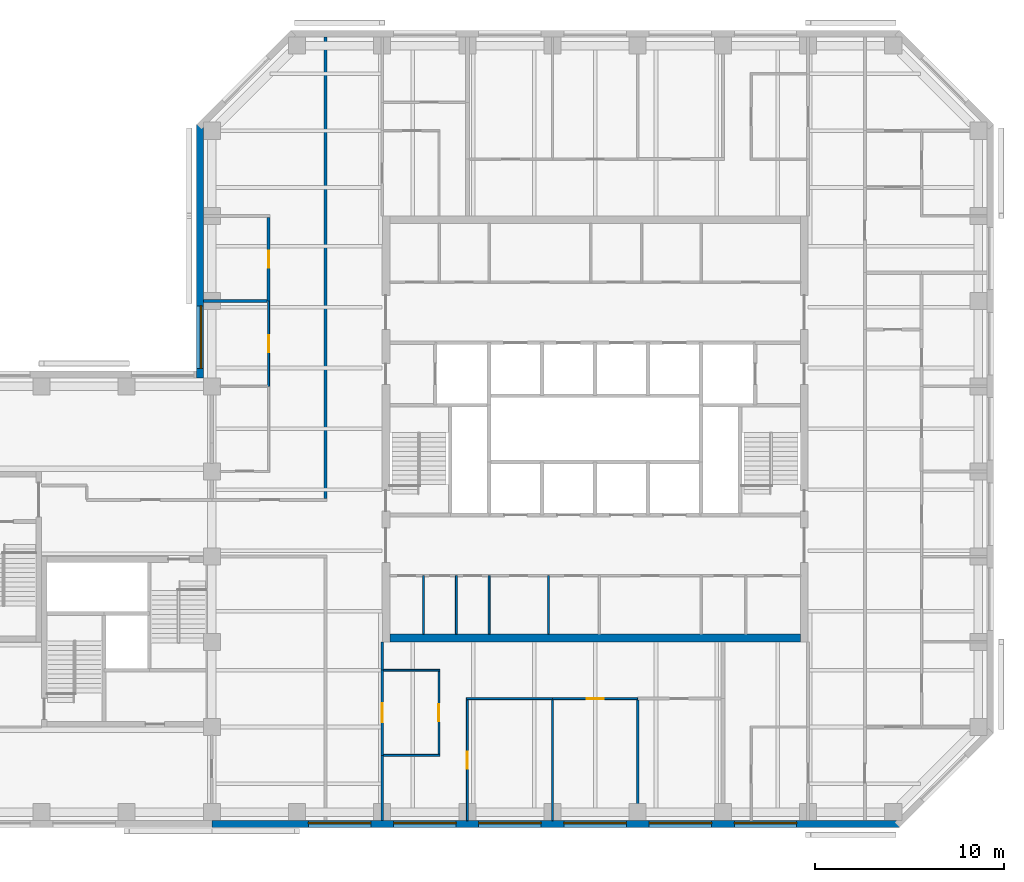
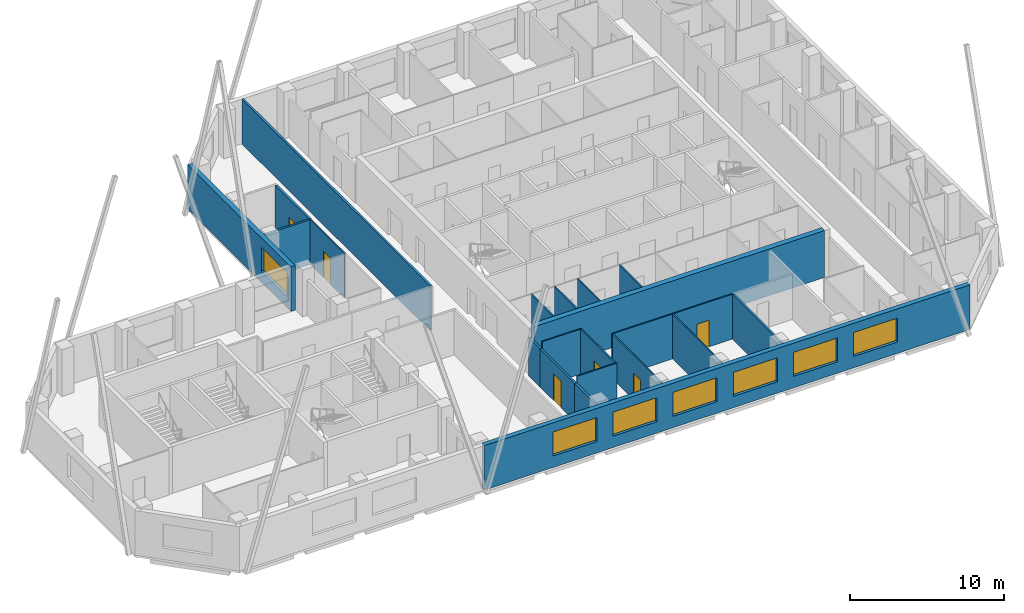
# One storey, part 4 of 10: 22 walls, 7 windows, 6 doors, 13 openings.
"""IFC4 building model written with IfcOpenShell, lengths in metres."""

from ifc_helpers import new_model, si_unit, direction, frame, frame_2d, origin, place, context, subcontext, project, spatial, rectangle, extrude, material, layer, layer_set, constituent, constituent_set, type_object, element, fill, save


model = new_model("IFC4")

# Units and contexts
model_context = context("Model", 3, precision=1e-05, world=origin(), true_north=direction((0.0, 1.0)))
body_context = subcontext(model_context, "Body", "Model", "MODEL_VIEW")
ifc_project = project(units=[si_unit("LENGTHUNIT", "METRE"), si_unit("AREAUNIT", "SQUARE_METRE"), si_unit("VOLUMEUNIT", "CUBIC_METRE"), si_unit("PLANEANGLEUNIT", "RADIAN"), si_unit("MASSUNIT", "GRAM", prefix="KILO")], contexts=[model_context])

# Site, building, storey
site_placement = place(None, origin())
site = spatial("IfcSite", under=ifc_project, at=site_placement, CompositionType="ELEMENT")
building_placement = place(site_placement, origin())
building = spatial("IfcBuilding", under=site, at=building_placement, Name="Quoin Convention Tower", CompositionType="ELEMENT")
storey_placement = place(building_placement, frame((0.0, 0.0, 188.39990234375)))
storey = spatial("IfcBuildingStorey", under=building, at=storey_placement, Name="L49", CompositionType="ELEMENT", Elevation=188.39990234375)

# Walls
ifc_material_1 = material(Name="Plasterboard")
ifc_layer_1 = layer(ifc_material_1, 0.012451171875, Name="Finish")
ifc_material_2 = material(Name="Steel stud framing", Category="steel")
ifc_layer_2 = layer(ifc_material_2, 0.125, Name="Structure")
ifc_layer_3 = layer(ifc_material_1, 0.012451171875, Name="Finish")
ifc_layer_set_1 = layer_set([ifc_layer_1, ifc_layer_2, ifc_layer_3], Name="Steel stud framing")
wall_type_1 = type_object("IfcWallType", Name="Acoustic partition 150", PredefinedType="PARTITIONING", material=ifc_layer_set_1)
wall_1_placement = place(storey_placement, frame((35.550048828125, 67.5, 0.0), z_axis=(0.0, 0.0, 1.0), x_axis=(1.0, 0.0, 0.0)))
element("IfcWall", 1, at=wall_1_placement, inside=storey, type_object=wall_type_1, Name="pw-L49-029", PredefinedType="PARTITIONING", context=body_context, shape_type="SweptSolid", body=[
    extrude(rectangle(XDim=3.375, YDim=0.14990234375, at=frame_2d((1.6875, 0.0))), origin(), (0.0, 0.0, 1.0), 3.550048828125),
])
wall_2_placement = place(storey_placement, frame((58.5, 40.050048828125, 0.0), z_axis=(0.0, 0.0, 1.0), x_axis=(0.0, 1.0, 0.0)))
element("IfcWall", 2, at=wall_2_placement, inside=storey, type_object=wall_type_1, Name="pw-L49-049", PredefinedType="PARTITIONING", context=body_context, shape_type="SweptSolid", body=[
    extrude(rectangle(XDim=6.375, YDim=0.14990234375, at=frame_2d((3.1875, 0.0))), origin(), (0.0, 0.0, 1.0), 3.550048828125),
])

# Wall, opening, door
wall_3_placement = place(storey_placement, frame((39.0, 67.5, 0.0), z_axis=(0.0, 0.0, 1.0), x_axis=(0.0, 1.0, 0.0)))
wall_3 = element("IfcWall", 3, at=wall_3_placement, inside=storey, type_object=wall_type_1, Name="pw-L49-086", PredefinedType="PARTITIONING", context=body_context, shape_type="SweptSolid", body=[
    extrude(rectangle(XDim=4.425048828125, YDim=0.14990234375, at=frame_2d((2.21240234375, 0.0))), origin(), (0.0, 0.0, 1.0), 3.550048828125),
])
opening_1_placement = place(wall_3_placement, frame((1.75, 0.0, 0.0)))
opening_1 = element("IfcOpeningElement", 4, at=opening_1_placement, cuts=wall_3, Name="Opening DOH6-28", PredefinedType="OPENING", context=body_context, shape_type="SweptSolid", body=[
    extrude(rectangle(XDim=0.89990234375, YDim=2.10009765625, at=frame_2d((0.449951171875, 1.050048828125))), frame((0.0, 0.0849609375, 0.0), z_axis=(0.0, -1.0, 0.0), x_axis=(1.0, 0.0, 0.0)), (0.0, 0.0, 1.0), 0.169921875),
])
ifc_material_3 = material(Name="Steel door leaf", Category="steel")
door_type_1 = type_object("IfcDoorType", Name="Office door 900 x 2100", OperationType="SINGLE_SWING_RIGHT", PredefinedType="DOOR", material=ifc_material_3)
door_1_placement = place(opening_1_placement, frame((0.89990234375, 0.0, 0.0), z_axis=(0.0, 0.0, 1.0), x_axis=(-1.0, 0.0, 0.0)))
door_1 = element("IfcDoor", 5, at=door_1_placement, inside=storey, type_object=door_type_1, Name="dr-L49-15", OperationType="SINGLE_SWING_LEFT", OverallHeight=2.10009765625, OverallWidth=0.89990234375, PredefinedType="DOOR", context=body_context, shape_type="SweptSolid", body=[
    extrude(rectangle(XDim=0.89990234375, YDim=2.10009765625, at=frame_2d((0.449951171875, 1.050048828125))), frame((0.0, 0.02490234375, 0.0), z_axis=(0.0, -1.0, 0.0), x_axis=(1.0, 0.0, 0.0)), (0.0, 0.0, 1.0), 0.050048828125),
])
fill(opening_1, door_1)

# Wall, openings, windows
ifc_material_4 = material(Name="Brick masonry", Category="masonry")
ifc_layer_4 = layer(ifc_material_4, 0.35009765625)
ifc_layer_set_2 = layer_set([ifc_layer_4], Name="Brick masonry")
wall_type_2 = type_object("IfcWallType", Name="Brick facade wall", PredefinedType="STANDARD", material=ifc_layer_set_2)
wall_4_placement = place(storey_placement, frame((36.0, 39.875, 0.0), z_axis=(0.0, 0.0, 1.0), x_axis=(1.0, 0.0, 0.0)))
wall_4 = element("IfcWall", 6, at=wall_4_placement, inside=storey, type_object=wall_type_2, Name="fw-L49-36000_40500", PredefinedType="STANDARD", context=body_context, shape_type="SweptSolid", body=[
    extrude(rectangle(XDim=36.331298828125, YDim=0.35009765625, at=frame_2d((18.16552734375, 0.0))), origin(), (0.0, 0.0, 1.0), 3.525146484375),
])
opening_2_placement = place(wall_4_placement, frame((5.10009765625, 0.0, 0.89990234375)))
opening_2 = element("IfcOpeningElement", 7, at=opening_2_placement, cuts=wall_4, Name="Opening W-02", PredefinedType="OPENING", context=body_context, shape_type="SweptSolid", body=[
    extrude(rectangle(XDim=3.300048828125, YDim=1.89990234375, at=frame_2d((1.64990234375, 0.949951171875))), frame((0.0, 0.18505859375, 0.0), z_axis=(0.0, -1.0, 0.0), x_axis=(1.0, 0.0, 0.0)), (0.0, 0.0, 1.0), 0.3701171875),
])
opening_3_placement = place(wall_4_placement, frame((9.60009765625, 0.0, 0.89990234375)))
opening_3 = element("IfcOpeningElement", 8, at=opening_3_placement, cuts=wall_4, Name="Opening W-02", PredefinedType="OPENING", context=body_context, shape_type="SweptSolid", body=[
    extrude(rectangle(XDim=3.300048828125, YDim=1.89990234375, at=frame_2d((1.64990234375, 0.949951171875))), frame((0.0, 0.18505859375, 0.0), z_axis=(0.0, -1.0, 0.0), x_axis=(1.0, 0.0, 0.0)), (0.0, 0.0, 1.0), 0.3701171875),
])
opening_4_placement = place(wall_4_placement, frame((14.10009765625, 0.0, 0.89990234375)))
opening_4 = element("IfcOpeningElement", 9, at=opening_4_placement, cuts=wall_4, Name="Opening W-02", PredefinedType="OPENING", context=body_context, shape_type="SweptSolid", body=[
    extrude(rectangle(XDim=3.300048828125, YDim=1.89990234375, at=frame_2d((1.64990234375, 0.949951171875))), frame((0.0, 0.18505859375, 0.0), z_axis=(0.0, -1.0, 0.0), x_axis=(1.0, 0.0, 0.0)), (0.0, 0.0, 1.0), 0.3701171875),
])
opening_5_placement = place(wall_4_placement, frame((18.60009765625, 0.0, 0.89990234375)))
opening_5 = element("IfcOpeningElement", 10, at=opening_5_placement, cuts=wall_4, Name="Opening W-02", PredefinedType="OPENING", context=body_context, shape_type="SweptSolid", body=[
    extrude(rectangle(XDim=3.300048828125, YDim=1.89990234375, at=frame_2d((1.64990234375, 0.949951171875))), frame((0.0, 0.18505859375, 0.0), z_axis=(0.0, -1.0, 0.0), x_axis=(1.0, 0.0, 0.0)), (0.0, 0.0, 1.0), 0.3701171875),
])
opening_6_placement = place(wall_4_placement, frame((23.10009765625, 0.0, 0.89990234375)))
opening_6 = element("IfcOpeningElement", 11, at=opening_6_placement, cuts=wall_4, Name="Opening W-02", PredefinedType="OPENING", context=body_context, shape_type="SweptSolid", body=[
    extrude(rectangle(XDim=3.300048828125, YDim=1.89990234375, at=frame_2d((1.64990234375, 0.949951171875))), frame((0.0, 0.18505859375, 0.0), z_axis=(0.0, -1.0, 0.0), x_axis=(1.0, 0.0, 0.0)), (0.0, 0.0, 1.0), 0.3701171875),
])
opening_7_placement = place(wall_4_placement, frame((27.60009765625, 0.0, 0.89990234375)))
opening_7 = element("IfcOpeningElement", 12, at=opening_7_placement, cuts=wall_4, Name="Opening W-02", PredefinedType="OPENING", context=body_context, shape_type="SweptSolid", body=[
    extrude(rectangle(XDim=3.300048828125, YDim=1.89990234375, at=frame_2d((1.64990234375, 0.949951171875))), frame((0.0, 0.18505859375, 0.0), z_axis=(0.0, -1.0, 0.0), x_axis=(1.0, 0.0, 0.0)), (0.0, 0.0, 1.0), 0.3701171875),
])
ifc_material_5 = material(Name="Aluminium", Category="aluminium")
ifc_constituent_1 = constituent(ifc_material_5, Name="Frame")
ifc_material_6 = material(Name="Insulated glass", Category="glass")
ifc_constituent_2 = constituent(ifc_material_6, Name="Glazing")
ifc_constituent_set = constituent_set(constituents=[ifc_constituent_1, ifc_constituent_2], Name="Aluminium")
window_type = type_object("IfcWindowType", Name="Office window", PartitioningType="DOUBLE_PANEL_VERTICAL", PredefinedType="WINDOW", material=ifc_constituent_set)
window_1_placement = place(opening_2_placement, origin())
window_1 = element("IfcWindow", 13, at=window_1_placement, inside=storey, type_object=window_type, Name="win-L49-42750_39875", OverallHeight=1.89990234375, OverallWidth=3.300048828125, PartitioningType="SINGLE_PANEL", PredefinedType="WINDOW", context=body_context, shape_type="SweptSolid", body=[
    extrude(rectangle(XDim=3.300048828125, YDim=1.89990234375, at=frame_2d((1.64990234375, 0.949951171875))), frame((0.0, 0.0849609375, 0.0), z_axis=(0.0, -1.0, 0.0), x_axis=(1.0, 0.0, 0.0)), (0.0, 0.0, 1.0), 0.06005859375),
])
fill(opening_2, window_1)
window_2_placement = place(opening_3_placement, origin())
window_2 = element("IfcWindow", 14, at=window_2_placement, inside=storey, type_object=window_type, Name="win-L49-47250_39875", OverallHeight=1.89990234375, OverallWidth=3.300048828125, PartitioningType="SINGLE_PANEL", PredefinedType="WINDOW", context=body_context, shape_type="SweptSolid", body=[
    extrude(rectangle(XDim=3.300048828125, YDim=1.89990234375, at=frame_2d((1.64990234375, 0.949951171875))), frame((0.0, 0.0849609375, 0.0), z_axis=(0.0, -1.0, 0.0), x_axis=(1.0, 0.0, 0.0)), (0.0, 0.0, 1.0), 0.06005859375),
])
fill(opening_3, window_2)
window_3_placement = place(opening_4_placement, origin())
window_3 = element("IfcWindow", 15, at=window_3_placement, inside=storey, type_object=window_type, Name="win-L49-51750_39875", OverallHeight=1.89990234375, OverallWidth=3.300048828125, PartitioningType="SINGLE_PANEL", PredefinedType="WINDOW", context=body_context, shape_type="SweptSolid", body=[
    extrude(rectangle(XDim=3.300048828125, YDim=1.89990234375, at=frame_2d((1.64990234375, 0.949951171875))), frame((0.0, 0.0849609375, 0.0), z_axis=(0.0, -1.0, 0.0), x_axis=(1.0, 0.0, 0.0)), (0.0, 0.0, 1.0), 0.06005859375),
])
fill(opening_4, window_3)
window_4_placement = place(opening_5_placement, origin())
window_4 = element("IfcWindow", 16, at=window_4_placement, inside=storey, type_object=window_type, Name="win-L49-56250_39875", OverallHeight=1.89990234375, OverallWidth=3.300048828125, PartitioningType="SINGLE_PANEL", PredefinedType="WINDOW", context=body_context, shape_type="SweptSolid", body=[
    extrude(rectangle(XDim=3.300048828125, YDim=1.89990234375, at=frame_2d((1.64990234375, 0.949951171875))), frame((0.0, 0.0849609375, 0.0), z_axis=(0.0, -1.0, 0.0), x_axis=(1.0, 0.0, 0.0)), (0.0, 0.0, 1.0), 0.06005859375),
])
fill(opening_5, window_4)
window_5_placement = place(opening_6_placement, origin())
window_5 = element("IfcWindow", 17, at=window_5_placement, inside=storey, type_object=window_type, Name="win-L49-60750_39875", OverallHeight=1.89990234375, OverallWidth=3.300048828125, PartitioningType="SINGLE_PANEL", PredefinedType="WINDOW", context=body_context, shape_type="SweptSolid", body=[
    extrude(rectangle(XDim=3.300048828125, YDim=1.89990234375, at=frame_2d((1.64990234375, 0.949951171875))), frame((0.0, 0.0849609375, 0.0), z_axis=(0.0, -1.0, 0.0), x_axis=(1.0, 0.0, 0.0)), (0.0, 0.0, 1.0), 0.06005859375),
])
fill(opening_6, window_5)
window_6_placement = place(opening_7_placement, origin())
window_6 = element("IfcWindow", 18, at=window_6_placement, inside=storey, type_object=window_type, Name="win-L49-65250_39875", OverallHeight=1.89990234375, OverallWidth=3.300048828125, PartitioningType="SINGLE_PANEL", PredefinedType="WINDOW", context=body_context, shape_type="SweptSolid", body=[
    extrude(rectangle(XDim=3.300048828125, YDim=1.89990234375, at=frame_2d((1.64990234375, 0.949951171875))), frame((0.0, 0.0849609375, 0.0), z_axis=(0.0, -1.0, 0.0), x_axis=(1.0, 0.0, 0.0)), (0.0, 0.0, 1.0), 0.06005859375),
])
fill(opening_7, window_6)

# Wall, opening, window
wall_5_placement = place(storey_placement, frame((35.375, 76.831298828125, 0.0), z_axis=(0.0, 0.0, 1.0), x_axis=(0.0, -1.0, 0.0)))
wall_5 = element("IfcWall", 19, at=wall_5_placement, inside=storey, type_object=wall_type_2, Name="fw-L49-36000_76500", PredefinedType="STANDARD", context=body_context, shape_type="SweptSolid", body=[
    extrude(rectangle(XDim=13.38134765625, YDim=0.35009765625, at=frame_2d((6.690673828125, 0.0))), origin(), (0.0, 0.0, 1.0), 3.525146484375),
])
opening_8_placement = place(wall_5_placement, frame((9.581298828125, 0.0, 0.89990234375)))
opening_8 = element("IfcOpeningElement", 20, at=opening_8_placement, cuts=wall_5, Name="Opening W-02", PredefinedType="OPENING", context=body_context, shape_type="SweptSolid", body=[
    extrude(rectangle(XDim=3.300048828125, YDim=1.89990234375, at=frame_2d((1.64990234375, 0.949951171875))), frame((0.0, 0.18505859375, 0.0), z_axis=(0.0, -1.0, 0.0), x_axis=(1.0, 0.0, 0.0)), (0.0, 0.0, 1.0), 0.3701171875),
])
window_7_placement = place(opening_8_placement, origin())
window_7 = element("IfcWindow", 21, at=window_7_placement, inside=storey, type_object=window_type, Name="win-L49-35375_65250", OverallHeight=1.89990234375, OverallWidth=3.300048828125, PartitioningType="SINGLE_PANEL", PredefinedType="WINDOW", context=body_context, shape_type="SweptSolid", body=[
    extrude(rectangle(XDim=3.300048828125, YDim=1.89990234375, at=frame_2d((1.64990234375, 0.949951171875))), frame((0.0, 0.0849609375, 0.0), z_axis=(0.0, -1.0, 0.0), x_axis=(1.0, 0.0, 0.0)), (0.0, 0.0, 1.0), 0.06005859375),
])
fill(opening_8, window_7)

# Walls
ifc_layer_5 = layer(ifc_material_1, 0.012451171875, Name="Finish")
ifc_layer_6 = layer(ifc_material_2, 0.074951171875, Name="Structure")
ifc_layer_7 = layer(ifc_material_1, 0.012451171875, Name="Finish")
ifc_layer_set_3 = layer_set([ifc_layer_5, ifc_layer_6, ifc_layer_7], Name="Steel stud framing")
wall_type_3 = type_object("IfcWallType", Name="Core partition wall", PredefinedType="PARTITIONING", material=ifc_layer_set_3)
for number, where, z_axis, x_axis, name in (
    (22, (47.18505859375, 49.89990234375, 0.0), (0.0, 0.0, 1.0), (0.0, 1.0, 0.0), "cr-C1-L49-v2185_400"),
    (23, (48.91748046875, 49.89990234375, 0.0), (0.0, 0.0, 1.0), (0.0, 1.0, 0.0), "cr-C1-L49-v3918_400"),
    (24, (50.64990234375, 49.89990234375, 0.0), (0.0, 0.0, 1.0), (0.0, 1.0, 0.0), "cr-C1-L49-v5650_400"),
    (25, (53.785888671875, 49.89990234375, 0.0), (0.0, 0.0, 1.0), (0.0, 1.0, 0.0), "cr-C1-L49-v8786_400"),
):
    element("IfcWall", number, at=place(storey_placement, frame(where, z_axis=z_axis, x_axis=x_axis)), inside=storey, type_object=wall_type_3, Name=name, PredefinedType="PARTITIONING", context=body_context, shape_type="SweptSolid", body=[
        extrude(rectangle(XDim=3.10009765625, YDim=0.10009765625, at=frame_2d((1.550048828125, 0.0))), origin(), (0.0, 0.0, 1.0), 3.550048828125),
    ])
ifc_layer_8 = layer(ifc_material_1, 0.012451171875, Name="Finish")
ifc_layer_9 = layer(ifc_material_2, 0.125, Name="Structure")
ifc_layer_10 = layer(ifc_material_1, 0.012451171875, Name="Finish")
ifc_layer_set_4 = layer_set([ifc_layer_8, ifc_layer_9, ifc_layer_10], Name="Steel stud framing")
wall_type_4 = type_object("IfcWallType", Name="Corridor wall 150", PredefinedType="PARTITIONING", material=ifc_layer_set_4)
wall_6_placement = place(storey_placement, frame((42.0, 57.074951171875, 0.0), z_axis=(0.0, 0.0, 1.0), x_axis=(0.0, 1.0, 0.0)))
element("IfcWall", 26, at=wall_6_placement, inside=storey, type_object=wall_type_4, Name="pw-L49-073", PredefinedType="PARTITIONING", context=body_context, shape_type="SweptSolid", body=[
    extrude(rectangle(XDim=24.375, YDim=0.14990234375, at=frame_2d((12.1875, 0.0))), origin(), (0.0, 0.0, 1.0), 3.550048828125),
])
ifc_layer_11 = layer(ifc_material_1, 0.012451171875, Name="Finish")
ifc_layer_12 = layer(ifc_material_2, 0.125, Name="Structure")
ifc_layer_13 = layer(ifc_material_1, 0.012451171875, Name="Finish")
ifc_layer_set_5 = layer_set([ifc_layer_11, ifc_layer_12, ifc_layer_13], Name="Steel stud framing")
wall_type_5 = type_object("IfcWallType", Name="Corridor wall 150 under beam 528", PredefinedType="PARTITIONING", material=ifc_layer_set_5)
wall_7_placement = place(storey_placement, frame((45.0, 40.050048828125, 0.0), z_axis=(0.0, 0.0, 1.0), x_axis=(0.0, 1.0, 0.0)))
element("IfcWall", 27, at=wall_7_placement, inside=storey, type_object=wall_type_5, Name="pw-L49-046", PredefinedType="PARTITIONING", context=body_context, shape_type="SweptSolid", body=[
    extrude(rectangle(XDim=3.449951171875, YDim=0.14990234375, at=frame_2d((1.72509765625, 0.0))), origin(), (0.0, 0.0, 1.0), 3.022216796875),
])

# Wall, opening, door
wall_8_placement = place(storey_placement, frame((45.0, 43.5, 0.0), z_axis=(0.0, 0.0, 1.0), x_axis=(0.0, 1.0, 0.0)))
wall_8 = element("IfcWall", 28, at=wall_8_placement, inside=storey, type_object=wall_type_5, Name="pw-L49-055", PredefinedType="PARTITIONING", context=body_context, shape_type="SweptSolid", body=[
    extrude(rectangle(XDim=4.5, YDim=0.14990234375, at=frame_2d((2.25, 0.0))), origin(), (0.0, 0.0, 1.0), 3.022216796875),
])
opening_9_placement = place(wall_8_placement, frame((1.75, 0.0, 0.0)))
opening_9 = element("IfcOpeningElement", 29, at=opening_9_placement, cuts=wall_8, Name="Opening DOH6-20", PredefinedType="OPENING", context=body_context, shape_type="SweptSolid", body=[
    extrude(rectangle(XDim=1.0, YDim=2.10009765625, at=frame_2d((0.5, 1.050048828125))), frame((0.0, 0.0849609375, 0.0), z_axis=(0.0, -1.0, 0.0), x_axis=(1.0, 0.0, 0.0)), (0.0, 0.0, 1.0), 0.169921875),
])
door_type_2 = type_object("IfcDoorType", Name="Tenancy entrance door 1000 x 2100", OperationType="DOUBLE_DOOR_SINGLE_SWING", PredefinedType="DOOR", material=ifc_material_3)
door_2_placement = place(opening_9_placement, frame((1.0, 0.0, 0.0), z_axis=(0.0, 0.0, 1.0), x_axis=(-1.0, 0.0, 0.0)))
door_2 = element("IfcDoor", 30, at=door_2_placement, inside=storey, type_object=door_type_2, Name="dr-L49-16", OperationType="DOUBLE_DOOR_SINGLE_SWING", OverallHeight=2.10009765625, OverallWidth=1.0, PredefinedType="DOOR", context=body_context, shape_type="SweptSolid", body=[
    extrude(rectangle(XDim=1.0, YDim=2.10009765625, at=frame_2d((0.5, 1.050048828125))), frame((0.0, 0.02490234375, 0.0), z_axis=(0.0, -1.0, 0.0), x_axis=(1.0, 0.0, 0.0)), (0.0, 0.0, 1.0), 0.050048828125),
])
fill(opening_9, door_2)

# Walls
wall_9_placement = place(storey_placement, frame((45.0, 48.0, 0.0), z_axis=(0.0, 0.0, 1.0), x_axis=(0.0, 1.0, 0.0)))
element("IfcWall", 31, at=wall_9_placement, inside=storey, type_object=wall_type_5, Name="pw-L49-065", PredefinedType="PARTITIONING", context=body_context, shape_type="SweptSolid", body=[
    extrude(rectangle(XDim=1.5, YDim=0.14990234375, at=frame_2d((0.75, 0.0))), origin(), (0.0, 0.0, 1.0), 3.022216796875),
])
ifc_material_7 = material(Name="Concrete C50", Category="concrete")
ifc_layer_14 = layer(ifc_material_7, 0.39990234375)
ifc_layer_set_6 = layer_set([ifc_layer_14], Name="Concrete C50")
wall_type_6 = type_object("IfcWallType", Name="RC CORE WALL 400 C50", PredefinedType="SHEAR", material=ifc_layer_set_6)
wall_10_placement = place(storey_placement, frame((45.39990234375, 49.699951171875, 0.0), z_axis=(0.0, 0.0, 1.0), x_axis=(1.0, 0.0, 0.0)))
element("IfcWall", 32, at=wall_10_placement, inside=storey, type_object=wall_type_6, Name="cwl-C1-L49-S", PredefinedType="SHEAR", context=body_context, shape_type="SweptSolid", body=[
    extrude(rectangle(XDim=21.7001953125, YDim=0.39990234375, at=frame_2d((10.85009765625, 0.0))), origin(), (0.0, 0.0, 1.0), 3.7001953125),
])
ifc_layer_15 = layer(ifc_material_1, 0.012451171875, Name="Finish")
ifc_layer_16 = layer(ifc_material_2, 0.074951171875, Name="Structure")
ifc_layer_17 = layer(ifc_material_1, 0.012451171875, Name="Finish")
ifc_layer_set_7 = layer_set([ifc_layer_15, ifc_layer_16, ifc_layer_17], Name="Steel stud framing")
wall_type_7 = type_object("IfcWallType", Name="Stud partition 100", PredefinedType="PARTITIONING", material=ifc_layer_set_7)
wall_11_placement = place(storey_placement, frame((45.074951171875, 43.5, 0.0), z_axis=(0.0, 0.0, 1.0), x_axis=(1.0, 0.0, 0.0)))
element("IfcWall", 33, at=wall_11_placement, inside=storey, type_object=wall_type_7, Name="pw-L49-001", PredefinedType="PARTITIONING", context=body_context, shape_type="SweptSolid", body=[
    extrude(rectangle(XDim=2.97509765625, YDim=0.10009765625, at=frame_2d((1.487548828125, 0.0))), origin(), (0.0, 0.0, 1.0), 3.550048828125),
])
wall_12_placement = place(storey_placement, frame((49.449951171875, 46.5, 0.0), z_axis=(0.0, 0.0, 1.0), x_axis=(1.0, 0.0, 0.0)))
element("IfcWall", 34, at=wall_12_placement, inside=storey, type_object=wall_type_7, Name="pw-L49-008", PredefinedType="PARTITIONING", context=body_context, shape_type="SweptSolid", body=[
    extrude(rectangle(XDim=4.550048828125, YDim=0.10009765625, at=frame_2d((2.27490234375, 0.0))), origin(), (0.0, 0.0, 1.0), 3.550048828125),
])

# Wall, opening, door
wall_13_placement = place(storey_placement, frame((54.0, 46.5, 0.0), z_axis=(0.0, 0.0, 1.0), x_axis=(1.0, 0.0, 0.0)))
wall_13 = element("IfcWall", 35, at=wall_13_placement, inside=storey, type_object=wall_type_7, Name="pw-L49-009", PredefinedType="PARTITIONING", context=body_context, shape_type="SweptSolid", body=[
    extrude(rectangle(XDim=4.5, YDim=0.10009765625, at=frame_2d((2.25, 0.0))), origin(), (0.0, 0.0, 1.0), 3.550048828125),
])
opening_10_placement = place(wall_13_placement, frame((1.800048828125, 0.0, 0.0)))
opening_10 = element("IfcOpeningElement", 36, at=opening_10_placement, cuts=wall_13, Name="Opening DOH6-02", PredefinedType="OPENING", context=body_context, shape_type="SweptSolid", body=[
    extrude(rectangle(XDim=0.89990234375, YDim=2.10009765625, at=frame_2d((0.449951171875, 1.050048828125))), frame((0.0, 0.06005859375, 0.0), z_axis=(0.0, -1.0, 0.0), x_axis=(1.0, 0.0, 0.0)), (0.0, 0.0, 1.0), 0.1201171875),
])
door_3_placement = place(opening_10_placement, origin())
door_3 = element("IfcDoor", 37, at=door_3_placement, inside=storey, type_object=door_type_1, Name="dr-L49-19", OperationType="SINGLE_SWING_RIGHT", OverallHeight=2.10009765625, OverallWidth=0.89990234375, PredefinedType="DOOR", context=body_context, shape_type="SweptSolid", body=[
    extrude(rectangle(XDim=0.89990234375, YDim=2.10009765625, at=frame_2d((0.449951171875, 1.050048828125))), frame((0.0, 0.02490234375, 0.0), z_axis=(0.0, -1.0, 0.0), x_axis=(1.0, 0.0, 0.0)), (0.0, 0.0, 1.0), 0.050048828125),
])
fill(opening_10, door_3)

# Wall
wall_14_placement = place(storey_placement, frame((45.074951171875, 48.0, 0.0), z_axis=(0.0, 0.0, 1.0), x_axis=(1.0, 0.0, 0.0)))
element("IfcWall", 38, at=wall_14_placement, inside=storey, type_object=wall_type_7, Name="pw-L49-011", PredefinedType="PARTITIONING", context=body_context, shape_type="SweptSolid", body=[
    extrude(rectangle(XDim=2.97509765625, YDim=0.10009765625, at=frame_2d((1.487548828125, 0.0))), origin(), (0.0, 0.0, 1.0), 3.550048828125),
])

# Wall, opening, door
wall_15_placement = place(storey_placement, frame((49.5, 40.050048828125, 0.0), z_axis=(0.0, 0.0, 1.0), x_axis=(0.0, 1.0, 0.0)))
wall_15 = element("IfcWall", 39, at=wall_15_placement, inside=storey, type_object=wall_type_7, Name="pw-L49-047", PredefinedType="PARTITIONING", context=body_context, shape_type="SweptSolid", body=[
    extrude(rectangle(XDim=6.39990234375, YDim=0.10009765625, at=frame_2d((3.199951171875, 0.0))), origin(), (0.0, 0.0, 1.0), 3.550048828125),
])
opening_11_placement = place(wall_15_placement, frame((2.75, 0.0, 0.0)))
opening_11 = element("IfcOpeningElement", 40, at=opening_11_placement, cuts=wall_15, Name="Opening DOH6-15", PredefinedType="OPENING", context=body_context, shape_type="SweptSolid", body=[
    extrude(rectangle(XDim=0.89990234375, YDim=2.10009765625, at=frame_2d((0.449951171875, 1.050048828125))), frame((0.0, 0.06005859375, 0.0), z_axis=(0.0, -1.0, 0.0), x_axis=(1.0, 0.0, 0.0)), (0.0, 0.0, 1.0), 0.1201171875),
])
door_4_placement = place(opening_11_placement, origin())
door_4 = element("IfcDoor", 41, at=door_4_placement, inside=storey, type_object=door_type_1, Name="dr-L49-18", OperationType="SINGLE_SWING_RIGHT", OverallHeight=2.10009765625, OverallWidth=0.89990234375, PredefinedType="DOOR", context=body_context, shape_type="SweptSolid", body=[
    extrude(rectangle(XDim=0.89990234375, YDim=2.10009765625, at=frame_2d((0.449951171875, 1.050048828125))), frame((0.0, 0.02490234375, 0.0), z_axis=(0.0, -1.0, 0.0), x_axis=(1.0, 0.0, 0.0)), (0.0, 0.0, 1.0), 0.050048828125),
])
fill(opening_11, door_4)

# Wall
wall_16_placement = place(storey_placement, frame((54.0, 40.050048828125, 0.0), z_axis=(0.0, 0.0, 1.0), x_axis=(0.0, 1.0, 0.0)))
element("IfcWall", 42, at=wall_16_placement, inside=storey, type_object=wall_type_7, Name="pw-L49-048", PredefinedType="PARTITIONING", context=body_context, shape_type="SweptSolid", body=[
    extrude(rectangle(XDim=6.39990234375, YDim=0.10009765625, at=frame_2d((3.199951171875, 0.0))), origin(), (0.0, 0.0, 1.0), 3.550048828125),
])

# Wall, opening, door
wall_17_placement = place(storey_placement, frame((48.0, 43.550048828125, 0.0), z_axis=(0.0, 0.0, 1.0), x_axis=(0.0, 1.0, 0.0)))
wall_17 = element("IfcWall", 43, at=wall_17_placement, inside=storey, type_object=wall_type_7, Name="pw-L49-056", PredefinedType="PARTITIONING", context=body_context, shape_type="SweptSolid", body=[
    extrude(rectangle(XDim=4.39990234375, YDim=0.10009765625, at=frame_2d((2.199951171875, 0.0))), origin(), (0.0, 0.0, 1.0), 3.550048828125),
])
opening_12_placement = place(wall_17_placement, frame((1.75, 0.0, 0.0)))
opening_12 = element("IfcOpeningElement", 44, at=opening_12_placement, cuts=wall_17, Name="Opening DOH6-21", PredefinedType="OPENING", context=body_context, shape_type="SweptSolid", body=[
    extrude(rectangle(XDim=0.89990234375, YDim=2.10009765625, at=frame_2d((0.449951171875, 1.050048828125))), frame((0.0, 0.06005859375, 0.0), z_axis=(0.0, -1.0, 0.0), x_axis=(1.0, 0.0, 0.0)), (0.0, 0.0, 1.0), 0.1201171875),
])
door_5_placement = place(opening_12_placement, frame((0.89990234375, 0.0, 0.0), z_axis=(0.0, 0.0, 1.0), x_axis=(-1.0, 0.0, 0.0)))
door_5 = element("IfcDoor", 45, at=door_5_placement, inside=storey, type_object=door_type_1, Name="dr-L49-17", OperationType="SINGLE_SWING_LEFT", OverallHeight=2.10009765625, OverallWidth=0.89990234375, PredefinedType="DOOR", context=body_context, shape_type="SweptSolid", body=[
    extrude(rectangle(XDim=0.89990234375, YDim=2.10009765625, at=frame_2d((0.449951171875, 1.050048828125))), frame((0.0, 0.02490234375, 0.0), z_axis=(0.0, -1.0, 0.0), x_axis=(1.0, 0.0, 0.0)), (0.0, 0.0, 1.0), 0.050048828125),
])
fill(opening_12, door_5)

wall_18_placement = place(storey_placement, frame((39.0, 63.0, 0.0), z_axis=(0.0, 0.0, 1.0), x_axis=(0.0, 1.0, 0.0)))
wall_18 = element("IfcWall", 46, at=wall_18_placement, inside=storey, type_object=wall_type_7, Name="pw-L49-082", PredefinedType="PARTITIONING", context=body_context, shape_type="SweptSolid", body=[
    extrude(rectangle(XDim=4.5, YDim=0.10009765625, at=frame_2d((2.25, 0.0))), origin(), (0.0, 0.0, 1.0), 3.550048828125),
])
opening_13_placement = place(wall_18_placement, frame((1.800048828125, 0.0, 0.0)))
opening_13 = element("IfcOpeningElement", 47, at=opening_13_placement, cuts=wall_18, Name="Opening DOH6-26", PredefinedType="OPENING", context=body_context, shape_type="SweptSolid", body=[
    extrude(rectangle(XDim=0.89990234375, YDim=2.10009765625, at=frame_2d((0.449951171875, 1.050048828125))), frame((0.0, 0.06005859375, 0.0), z_axis=(0.0, -1.0, 0.0), x_axis=(1.0, 0.0, 0.0)), (0.0, 0.0, 1.0), 0.1201171875),
])
door_6_placement = place(opening_13_placement, frame((0.89990234375, 0.0, 0.0), z_axis=(0.0, 0.0, 1.0), x_axis=(-1.0, 0.0, 0.0)))
door_6 = element("IfcDoor", 48, at=door_6_placement, inside=storey, type_object=door_type_1, Name="dr-L49-14", OperationType="SINGLE_SWING_LEFT", OverallHeight=2.10009765625, OverallWidth=0.89990234375, PredefinedType="DOOR", context=body_context, shape_type="SweptSolid", body=[
    extrude(rectangle(XDim=0.89990234375, YDim=2.10009765625, at=frame_2d((0.449951171875, 1.050048828125))), frame((0.0, 0.02490234375, 0.0), z_axis=(0.0, -1.0, 0.0), x_axis=(1.0, 0.0, 0.0)), (0.0, 0.0, 1.0), 0.050048828125),
])
fill(opening_13, door_6)

save(model, "model.ifc")
